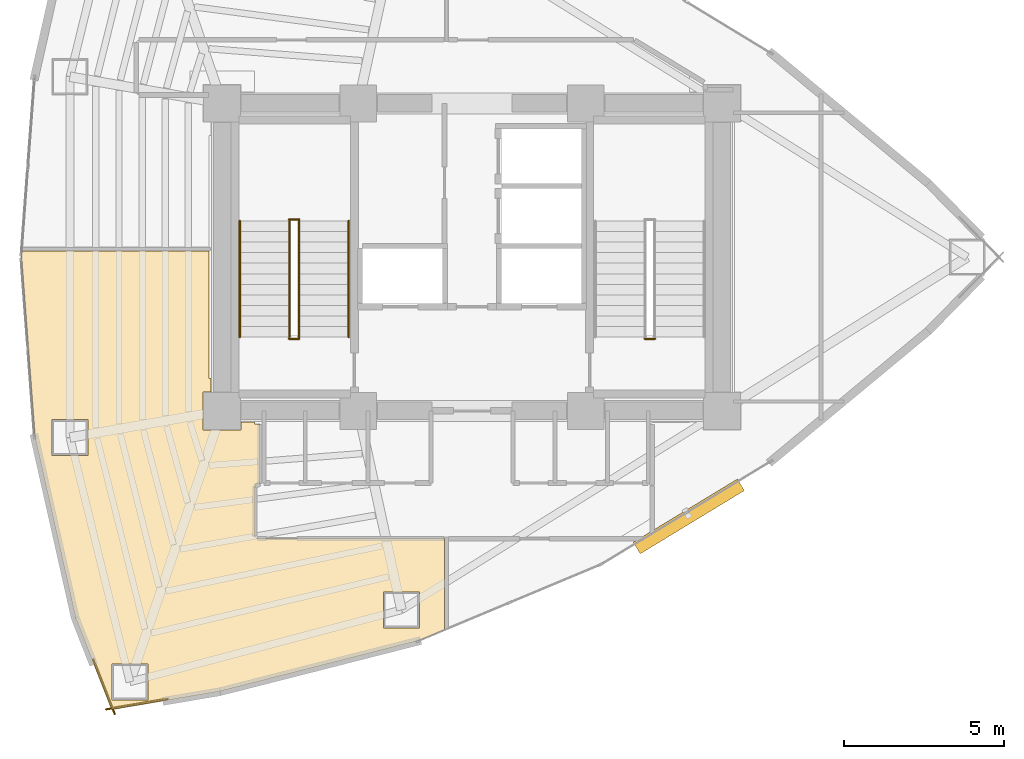
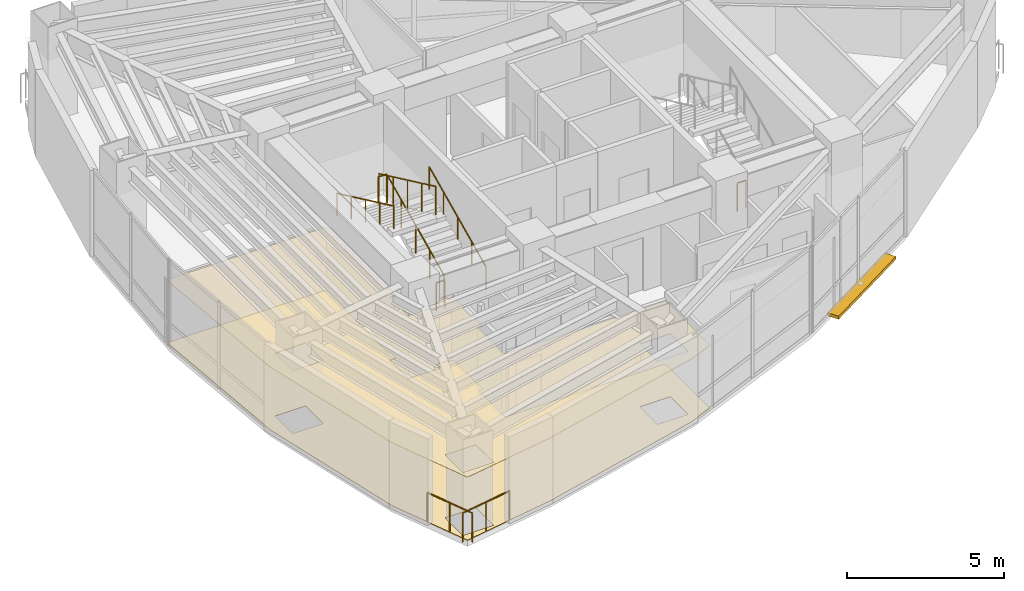
# One storey, part 13 of 15: 9 railings, 2 coverings, 1 shading device.
"""IFC4 building model written with IfcOpenShell, lengths in metres."""

from ifc_helpers import new_model, si_unit, direction, frame, origin, origin_2d, place, context, subcontext, project, spatial, polyline, rectangle, circle, outline, extrude, material, layer, layer_set, type_object, element, save


model = new_model("IFC4")

# Units and contexts
model_context = context("Model", 3, precision=1e-05, world=origin(), true_north=direction((0.0, 1.0)))
body_context = subcontext(model_context, "Body", "Model", "MODEL_VIEW")
ifc_project = project(units=[si_unit("LENGTHUNIT", "METRE"), si_unit("AREAUNIT", "SQUARE_METRE"), si_unit("VOLUMEUNIT", "CUBIC_METRE"), si_unit("PLANEANGLEUNIT", "RADIAN"), si_unit("MASSUNIT", "GRAM", prefix="KILO")], contexts=[model_context])

# Site, building, storey
site_placement = place(None, origin())
site = spatial("IfcSite", under=ifc_project, at=site_placement, CompositionType="ELEMENT")
building_placement = place(site_placement, origin())
building = spatial("IfcBuilding", under=site, at=building_placement, Name="Menara Vayukalpa", CompositionType="ELEMENT")
storey_placement = place(building_placement, frame((0.0, 0.0, 144.89990234375)))
storey = spatial("IfcBuildingStorey", under=building, at=storey_placement, Name="L36", CompositionType="ELEMENT", Elevation=144.89990234375)

# Coverings
ifc_material_1 = material(Name="Mineral Fibre Acoustic Ceiling Tile", Category="masonry")
ifc_layer_1 = layer(ifc_material_1, 0.02490234375)
ifc_layer_set_1 = layer_set([ifc_layer_1], Name="Mineral Fibre Acoustic Ceiling Tile")
covering_type_1 = type_object("IfcCoveringType", Name="COV-CLG1", PredefinedType="CEILING", material=ifc_layer_set_1)
covering_1_placement = place(storey_placement, frame((0.0, 0.0, 2.4501953125)))
element("IfcCovering", 1, at=covering_1_placement, inside=storey, type_object=covering_type_1, Name="L36 Departmental Archive Room Acoustic Ceiling", PredefinedType="CEILING", context=body_context, shape_type="SweptSolid", body=[
    extrude(outline(polyline([(17.730712890625, 8.44580078125), (14.35986328125, 7.873291015625), (14.35888671875, 7.873291015625), (14.35791015625, 7.873291015625), (14.35693359375, 7.873291015625), (14.35595703125, 7.87353515625), (14.35498046875, 7.873779296875), (14.354248046875, 7.874267578125), (14.353271484375, 7.87451171875), (14.3525390625, 7.875), (14.351806640625, 7.875732421875), (14.35107421875, 7.87646484375), (14.350341796875, 7.877197265625), (14.349853515625, 7.8779296875), (14.349365234375, 7.87890625), (14.348876953125, 7.879638671875), (13.22607421875, 10.738525390625), (13.225830078125, 10.7392578125), (13.2255859375, 10.739990234375), (11.958984375, 16.368896484375), (11.958984375, 16.37060546875), (11.536865234375, 21.999267578125), (11.536865234375, 22.0), (11.536865234375, 22.000732421875), (11.55078125, 22.18896484375), (11.551025390625, 22.18994140625), (11.55126953125, 22.19091796875), (11.551513671875, 22.19189453125), (11.552001953125, 22.19287109375), (11.552490234375, 22.193603515625), (11.552978515625, 22.194580078125), (11.5537109375, 22.1953125), (11.554443359375, 22.196044921875), (11.555419921875, 22.196533203125), (11.55615234375, 22.197021484375), (11.556884765625, 22.197509765625), (11.55810546875, 22.197998046875), (11.558837890625, 22.197998046875), (11.559814453125, 22.1982421875), (11.560791015625, 22.1982421875), (17.3798828125, 22.1982421875), (17.381103515625, 22.1982421875), (17.382080078125, 22.197998046875), (17.3828125, 22.197998046875), (17.3837890625, 22.197509765625), (17.384765625, 22.197021484375), (17.385498046875, 22.196533203125), (17.38623046875, 22.196044921875), (17.38720703125, 22.1953125), (17.3876953125, 22.194580078125), (17.38818359375, 22.19384765625), (17.388916015625, 22.193115234375), (17.38916015625, 22.192138671875), (17.3896484375, 22.191162109375), (17.389892578125, 22.190185546875), (17.389892578125, 22.189208984375), (17.389892578125, 22.188232421875), (17.389892578125, 18.2099609375), (17.449951171875, 18.2099609375), (17.449951171875, 17.7900390625), (17.2099609375, 17.7900390625), (17.2099609375, 16.610107421875), (18.389892578125, 16.610107421875), (18.389892578125, 16.85009765625), (18.81005859375, 16.85009765625), (18.81005859375, 16.7900390625), (18.97998046875, 16.7900390625), (18.98095703125, 16.7900390625), (18.98193359375, 16.789794921875), (18.98291015625, 16.78955078125), (18.98388671875, 16.789306640625), (18.984619140625, 16.788818359375), (18.985595703125, 16.788330078125), (18.986328125, 16.78759765625), (18.987060546875, 16.787109375), (18.98779296875, 16.786376953125), (18.98828125, 16.78564453125), (18.98876953125, 16.78466796875), (18.9892578125, 16.78369140625), (18.989501953125, 16.782958984375), (18.98974609375, 16.781982421875), (18.989990234375, 16.781005859375), (18.989990234375, 16.780029296875), (18.989990234375, 14.929931640625), (18.989990234375, 14.928955078125), (18.98974609375, 14.927978515625), (18.989501953125, 14.927001953125), (18.9892578125, 14.92626953125), (18.98876953125, 14.92529296875), (18.98828125, 14.92431640625), (18.98779296875, 14.923583984375), (18.987060546875, 14.9228515625), (18.986328125, 14.92236328125), (18.985595703125, 14.921630859375), (18.984619140625, 14.921142578125), (18.98388671875, 14.9208984375), (18.98291015625, 14.92041015625), (18.98193359375, 14.920166015625), (18.98095703125, 14.919921875), (18.97998046875, 14.919921875), (18.900390625, 14.919921875), (18.893310546875, 14.919677734375), (18.88623046875, 14.918701171875), (18.879638671875, 14.9169921875), (18.873291015625, 14.914794921875), (18.866943359375, 14.911865234375), (18.861083984375, 14.908203125), (18.85546875, 14.904052734375), (18.8505859375, 14.8994140625), (18.845947265625, 14.89453125), (18.841796875, 14.888916015625), (18.838134765625, 14.883056640625), (18.835205078125, 14.876708984375), (18.8330078125, 14.870361328125), (18.831298828125, 14.86376953125), (18.830322265625, 14.856689453125), (18.830078125, 14.849609375), (18.830078125, 13.290283203125), (18.830322265625, 13.283203125), (18.831298828125, 13.2763671875), (18.8330078125, 13.269775390625), (18.835205078125, 13.26318359375), (18.838134765625, 13.257080078125), (18.841796875, 13.251220703125), (18.845947265625, 13.24560546875), (18.8505859375, 13.240478515625), (18.85546875, 13.236083984375), (18.861083984375, 13.231689453125), (18.866943359375, 13.228271484375), (18.873291015625, 13.225341796875), (18.879638671875, 13.222900390625), (18.88623046875, 13.22119140625), (18.893310546875, 13.220458984375), (18.900390625, 13.219970703125), (24.72998046875, 13.219970703125), (24.73095703125, 13.219970703125), (24.73193359375, 13.2197265625), (24.73291015625, 13.219482421875), (24.73388671875, 13.21923828125), (24.734619140625, 13.21875), (24.735595703125, 13.21826171875), (24.736328125, 13.2177734375), (24.737060546875, 13.217041015625), (24.73779296875, 13.21630859375), (24.73828125, 13.215576171875), (24.73876953125, 13.214599609375), (24.7392578125, 13.2138671875), (24.739501953125, 13.212890625), (24.73974609375, 13.2119140625), (24.739990234375, 13.2109375), (24.739990234375, 13.2099609375), (24.739990234375, 10.37841796875), (24.739990234375, 10.377197265625), (24.73974609375, 10.37646484375), (24.739501953125, 10.37548828125), (24.7392578125, 10.37451171875), (24.73876953125, 10.37353515625), (24.73828125, 10.372802734375), (24.73779296875, 10.3720703125), (24.737060546875, 10.37109375), (24.736328125, 10.37060546875), (24.735595703125, 10.3701171875), (24.734619140625, 10.369384765625), (24.73388671875, 10.369140625), (23.8935546875, 10.017578125), (23.89208984375, 10.01708984375), (17.7314453125, 8.44580078125), (17.730712890625, 8.44580078125)]), holes=[polyline([(14.35546875, 9.304443359375), (14.35546875, 8.174560546875), (15.485595703125, 8.174560546875), (15.485595703125, 9.304443359375), (14.35546875, 9.304443359375)]), polyline([(13.614013671875, 16.93310546875), (12.484130859375, 16.93310546875), (12.484130859375, 15.80322265625), (13.614013671875, 15.80322265625), (13.614013671875, 16.93310546875)]), polyline([(23.9619140625, 11.552978515625), (22.831787109375, 11.552978515625), (22.831787109375, 10.423095703125), (23.9619140625, 10.423095703125), (23.9619140625, 11.552978515625)])]), origin(), (0.0, 0.0, 1.0), 0.02490234375),
])
ifc_material_2 = material(Name="Porcelain Stoneware Floor Tile", Category="masonry")
ifc_layer_2 = layer(ifc_material_2, 0.02001953125)
ifc_layer_set_2 = layer_set([ifc_layer_2], Name="Porcelain Stoneware Floor Tile")
covering_type_2 = type_object("IfcCoveringType", Name="COV-FLR1", PredefinedType="FLOORING", material=ifc_layer_set_2)
covering_2_placement = place(storey_placement, origin())
element("IfcCovering", 2, at=covering_2_placement, inside=storey, type_object=covering_type_2, Name="L36 Departmental Archive Room Porcelain Flooring", PredefinedType="FLOORING", context=body_context, shape_type="SweptSolid", body=[
    extrude(outline(polyline([(17.730712890625, 8.44580078125), (14.35986328125, 7.873291015625), (14.35888671875, 7.873291015625), (14.35791015625, 7.873291015625), (14.35693359375, 7.873291015625), (14.35595703125, 7.87353515625), (14.35498046875, 7.873779296875), (14.354248046875, 7.874267578125), (14.353271484375, 7.87451171875), (14.3525390625, 7.875), (14.351806640625, 7.875732421875), (14.35107421875, 7.87646484375), (14.350341796875, 7.877197265625), (14.349853515625, 7.8779296875), (14.349365234375, 7.87890625), (14.348876953125, 7.879638671875), (13.22607421875, 10.738525390625), (13.225830078125, 10.7392578125), (13.2255859375, 10.739990234375), (11.958984375, 16.368896484375), (11.958984375, 16.37060546875), (11.536865234375, 21.999267578125), (11.536865234375, 22.0), (11.536865234375, 22.000732421875), (11.55078125, 22.18896484375), (11.551025390625, 22.18994140625), (11.55126953125, 22.19091796875), (11.551513671875, 22.19189453125), (11.552001953125, 22.19287109375), (11.552490234375, 22.193603515625), (11.552978515625, 22.194580078125), (11.5537109375, 22.1953125), (11.554443359375, 22.196044921875), (11.555419921875, 22.196533203125), (11.55615234375, 22.197021484375), (11.556884765625, 22.197509765625), (11.55810546875, 22.197998046875), (11.558837890625, 22.197998046875), (11.559814453125, 22.1982421875), (11.560791015625, 22.1982421875), (17.3798828125, 22.1982421875), (17.381103515625, 22.1982421875), (17.382080078125, 22.197998046875), (17.3828125, 22.197998046875), (17.3837890625, 22.197509765625), (17.384765625, 22.197021484375), (17.385498046875, 22.196533203125), (17.38623046875, 22.196044921875), (17.38720703125, 22.1953125), (17.3876953125, 22.194580078125), (17.38818359375, 22.19384765625), (17.388916015625, 22.193115234375), (17.38916015625, 22.192138671875), (17.3896484375, 22.191162109375), (17.389892578125, 22.190185546875), (17.389892578125, 22.189208984375), (17.389892578125, 22.188232421875), (17.389892578125, 18.2099609375), (17.449951171875, 18.2099609375), (17.449951171875, 17.7900390625), (17.2099609375, 17.7900390625), (17.2099609375, 16.610107421875), (18.389892578125, 16.610107421875), (18.389892578125, 16.85009765625), (18.81005859375, 16.85009765625), (18.81005859375, 16.7900390625), (18.97998046875, 16.7900390625), (18.98095703125, 16.7900390625), (18.98193359375, 16.789794921875), (18.98291015625, 16.78955078125), (18.98388671875, 16.789306640625), (18.984619140625, 16.788818359375), (18.985595703125, 16.788330078125), (18.986328125, 16.78759765625), (18.987060546875, 16.787109375), (18.98779296875, 16.786376953125), (18.98828125, 16.78564453125), (18.98876953125, 16.78466796875), (18.9892578125, 16.78369140625), (18.989501953125, 16.782958984375), (18.98974609375, 16.781982421875), (18.989990234375, 16.781005859375), (18.989990234375, 16.780029296875), (18.989990234375, 14.929931640625), (18.989990234375, 14.928955078125), (18.98974609375, 14.927978515625), (18.989501953125, 14.927001953125), (18.9892578125, 14.92626953125), (18.98876953125, 14.92529296875), (18.98828125, 14.92431640625), (18.98779296875, 14.923583984375), (18.987060546875, 14.9228515625), (18.986328125, 14.92236328125), (18.985595703125, 14.921630859375), (18.984619140625, 14.921142578125), (18.98388671875, 14.9208984375), (18.98291015625, 14.92041015625), (18.98193359375, 14.920166015625), (18.98095703125, 14.919921875), (18.97998046875, 14.919921875), (18.900390625, 14.919921875), (18.893310546875, 14.919677734375), (18.88623046875, 14.918701171875), (18.879638671875, 14.9169921875), (18.873291015625, 14.914794921875), (18.866943359375, 14.911865234375), (18.861083984375, 14.908203125), (18.85546875, 14.904052734375), (18.8505859375, 14.8994140625), (18.845947265625, 14.89453125), (18.841796875, 14.888916015625), (18.838134765625, 14.883056640625), (18.835205078125, 14.876708984375), (18.8330078125, 14.870361328125), (18.831298828125, 14.86376953125), (18.830322265625, 14.856689453125), (18.830078125, 14.849609375), (18.830078125, 13.290283203125), (18.830322265625, 13.283203125), (18.831298828125, 13.2763671875), (18.8330078125, 13.269775390625), (18.835205078125, 13.26318359375), (18.838134765625, 13.257080078125), (18.841796875, 13.251220703125), (18.845947265625, 13.24560546875), (18.8505859375, 13.240478515625), (18.85546875, 13.236083984375), (18.861083984375, 13.231689453125), (18.866943359375, 13.228271484375), (18.873291015625, 13.225341796875), (18.879638671875, 13.222900390625), (18.88623046875, 13.22119140625), (18.893310546875, 13.220458984375), (18.900390625, 13.219970703125), (24.72998046875, 13.219970703125), (24.73095703125, 13.219970703125), (24.73193359375, 13.2197265625), (24.73291015625, 13.219482421875), (24.73388671875, 13.21923828125), (24.734619140625, 13.21875), (24.735595703125, 13.21826171875), (24.736328125, 13.2177734375), (24.737060546875, 13.217041015625), (24.73779296875, 13.21630859375), (24.73828125, 13.215576171875), (24.73876953125, 13.214599609375), (24.7392578125, 13.2138671875), (24.739501953125, 13.212890625), (24.73974609375, 13.2119140625), (24.739990234375, 13.2109375), (24.739990234375, 13.2099609375), (24.739990234375, 10.37841796875), (24.739990234375, 10.377197265625), (24.73974609375, 10.37646484375), (24.739501953125, 10.37548828125), (24.7392578125, 10.37451171875), (24.73876953125, 10.37353515625), (24.73828125, 10.372802734375), (24.73779296875, 10.3720703125), (24.737060546875, 10.37109375), (24.736328125, 10.37060546875), (24.735595703125, 10.3701171875), (24.734619140625, 10.369384765625), (24.73388671875, 10.369140625), (23.8935546875, 10.017578125), (23.89208984375, 10.01708984375), (17.7314453125, 8.44580078125), (17.730712890625, 8.44580078125)]), holes=[polyline([(14.35546875, 9.304443359375), (14.35546875, 8.174560546875), (15.485595703125, 8.174560546875), (15.485595703125, 9.304443359375), (14.35546875, 9.304443359375)]), polyline([(13.614013671875, 16.93310546875), (12.484130859375, 16.93310546875), (12.484130859375, 15.80322265625), (13.614013671875, 15.80322265625), (13.614013671875, 16.93310546875)]), polyline([(23.9619140625, 11.552978515625), (22.831787109375, 11.552978515625), (22.831787109375, 10.423095703125), (23.9619140625, 10.423095703125), (23.9619140625, 11.552978515625)])]), origin(), (0.0, 0.0, 1.0), 0.02001953125),
])

# Railings
ifc_material_3 = material(Name="Laminated Glass and Stainless Steel 316 Guardrail", Category="steel")
railing_type_1 = type_object("IfcRailingType", Name="RLG-EXT115", PredefinedType="GUARDRAIL", material=ifc_material_3)
railing_1_placement = place(storey_placement, frame((13.77880859375, 9.440673828125, 0.0)))
element("IfcRailing", 3, at=railing_1_placement, inside=storey, type_object=railing_type_1, Name="L36 Column Corner Spandrel Guardrail 13-1", PredefinedType="GUARDRAIL", context=body_context, shape_type="SweptSolid", body=[
    extrude(circle(Radius=0.02392578125, at=origin_2d()), frame((0.0, 0.0, 1.1259765625), z_axis=(0.365496165744, -0.93081284522, 0.0), x_axis=(0.93081284522, 0.365496165744, 0.0)), (0.0, 0.0, 1.0), 1.837646484375),
    extrude(circle(Radius=0.02099609375, at=origin_2d()), origin(), (0.0, 0.0, 1.0), 1.101806640625),
    extrude(circle(Radius=0.02099609375, at=origin_2d()), frame((0.3359375, -0.855224609375, 0.0)), (0.0, 0.0, 1.0), 1.101806640625),
    extrude(circle(Radius=0.02099609375, at=origin_2d()), frame((0.671630859375, -1.71044921875, 0.0)), (0.0, 0.0, 1.0), 1.101806640625),
])
railing_2_placement = place(storey_placement, frame((14.179443359375, 7.88330078125, 0.0)))
element("IfcRailing", 4, at=railing_2_placement, inside=storey, type_object=railing_type_1, Name="L36 Column Corner Spandrel Guardrail 14-1", PredefinedType="GUARDRAIL", context=body_context, shape_type="SweptSolid", body=[
    extrude(circle(Radius=0.02392578125, at=origin_2d()), frame((0.0, 0.0, 1.1259765625), z_axis=(0.985886955751, 0.167412396435, 0.0), x_axis=(-0.167412396435, 0.985886955751, 0.0)), (0.0, 0.0, 1.0), 1.94384765625),
    extrude(circle(Radius=0.02099609375, at=origin_2d()), origin(), (0.0, 0.0, 1.0), 1.101806640625),
    extrude(circle(Radius=0.02099609375, at=origin_2d()), frame((0.958251953125, 0.16259765625, 0.0)), (0.0, 0.0, 1.0), 1.101806640625),
    extrude(circle(Radius=0.02099609375, at=origin_2d()), frame((1.91650390625, 0.325439453125, 0.0)), (0.0, 0.0, 1.0), 1.101806640625),
])
ifc_material_4 = material(Name="Powder-Coated Galvanised Steel Guardrail", Category="steel")
railing_type_2 = type_object("IfcRailingType", Name="RLG-STG110", PredefinedType="GUARDRAIL", material=ifc_material_4)
railing_3_placement = place(storey_placement, frame((20.199951171875, 19.5, 0.155029296875)))
element("IfcRailing", 5, at=railing_3_placement, inside=storey, type_object=railing_type_2, Name="L36 ST-1 stair guard 1", PredefinedType="GUARDRAIL", context=body_context, shape_type="SweptSolid", body=[
    extrude(circle(Radius=0.02392578125, at=origin_2d()), frame((0.0, 0.0, 1.09619140625), z_axis=(0.0, 0.90511648382, 0.425163675209), x_axis=(-1.0, 0.0, 0.0)), (0.0, 0.0, 1.0), 4.010498046875),
    extrude(circle(Radius=0.02099609375, at=origin_2d()), origin(), (0.0, 0.0, 1.0), 1.072021484375),
    extrude(circle(Radius=0.02099609375, at=origin_2d()), frame((0.0, 0.907470703125, 0.42626953125)), (0.0, 0.0, 1.0), 1.072021484375),
    extrude(circle(Radius=0.02099609375, at=origin_2d()), frame((0.0, 1.81494140625, 0.8525390625)), (0.0, 0.0, 1.0), 1.072021484375),
    extrude(circle(Radius=0.02099609375, at=origin_2d()), frame((0.0, 2.722412109375, 1.27880859375)), (0.0, 0.0, 1.0), 1.072021484375),
    extrude(circle(Radius=0.02099609375, at=origin_2d()), frame((0.0, 3.6298828125, 1.705078125)), (0.0, 0.0, 1.0), 1.072021484375),
])
railing_4_placement = place(storey_placement, frame((20.2099609375, 23.179931640625, 1.860107421875)))
element("IfcRailing", 6, at=railing_4_placement, inside=storey, type_object=railing_type_2, Name="L36 ST-1 stair guard 2", PredefinedType="GUARDRAIL", context=body_context, shape_type="SweptSolid", body=[
    extrude(circle(Radius=0.02392578125, at=origin_2d()), frame((0.0, 0.0, 1.09619140625), z_axis=(-1.0, 0.0, 0.0), x_axis=(0.0, -1.0, 0.0)), (0.0, 0.0, 1.0), 0.320068359375),
    extrude(circle(Radius=0.02099609375, at=origin_2d()), origin(), (0.0, 0.0, 1.0), 1.072021484375),
    extrude(circle(Radius=0.02099609375, at=origin_2d()), frame((-0.320068359375, 0.0, 0.0)), (0.0, 0.0, 1.0), 1.072021484375),
])
railing_5_placement = place(storey_placement, frame((19.89990234375, 23.1298828125, 2.01513671875)))
element("IfcRailing", 7, at=railing_5_placement, inside=storey, type_object=railing_type_2, Name="L36 ST-1 stair guard 3", PredefinedType="GUARDRAIL", context=body_context, shape_type="SweptSolid", body=[
    extrude(circle(Radius=0.02392578125, at=origin_2d()), frame((0.0, 0.0, 1.09619140625), z_axis=(0.0, -0.90511648382, 0.425163675209), x_axis=(1.0, 0.0, 0.0)), (0.0, 0.0, 1.0), 4.010498046875),
    extrude(circle(Radius=0.02099609375, at=origin_2d()), origin(), (0.0, 0.0, 1.0), 1.072021484375),
    extrude(circle(Radius=0.02099609375, at=origin_2d()), frame((0.0, -0.907470703125, 0.42626953125)), (0.0, 0.0, 1.0), 1.072021484375),
    extrude(circle(Radius=0.02099609375, at=origin_2d()), frame((0.0, -1.81494140625, 0.8525390625)), (0.0, 0.0, 1.0), 1.072021484375),
    extrude(circle(Radius=0.02099609375, at=origin_2d()), frame((0.0, -2.722412109375, 1.27880859375)), (0.0, 0.0, 1.0), 1.072021484375),
    extrude(circle(Radius=0.02099609375, at=origin_2d()), frame((0.0, -3.6298828125, 1.705078125)), (0.0, 0.0, 1.0), 1.072021484375),
])
for number, where, name in (
    (8, (20.2099609375, 19.449951171875, 0.0), "L36 ST-1 stair guard 4"),
    (9, (31.31005859375, 19.449951171875, 0.0), "L36 ST-2 stair guard 4"),
):
    element("IfcRailing", number, at=place(storey_placement, frame(where)), inside=storey, type_object=railing_type_2, Name=name, PredefinedType="GUARDRAIL", context=body_context, shape_type="SweptSolid", body=[
        extrude(circle(Radius=0.02392578125, at=origin_2d()), frame((0.0, 0.0, 1.09619140625), z_axis=(-1.0, 0.0, 0.0), x_axis=(0.0, -1.0, 0.0)), (0.0, 0.0, 1.0), 0.320068359375),
        extrude(circle(Radius=0.02099609375, at=origin_2d()), origin(), (0.0, 0.0, 1.0), 1.072021484375),
        extrude(circle(Radius=0.02099609375, at=origin_2d()), frame((-0.320068359375, 0.0, 0.0)), (0.0, 0.0, 1.0), 1.072021484375),
    ])
ifc_material_5 = material(Name="Stainless Steel 316 Tubular Handrail", Category="steel")
railing_type_3 = type_object("IfcRailingType", Name="RLG-STH090", PredefinedType="HANDRAIL", material=ifc_material_5)
railing_6_placement = place(storey_placement, frame((21.75, 19.5, 0.155029296875)))
element("IfcRailing", 10, at=railing_6_placement, inside=storey, type_object=railing_type_3, Name="L36 ST-1 stair handrail 1", PredefinedType="HANDRAIL", context=body_context, shape_type="SweptSolid", body=[
    extrude(circle(Radius=0.02392578125, at=origin_2d()), frame((0.0, 0.0, 0.8759765625), z_axis=(0.0, 0.90511648382, 0.425163675209), x_axis=(-1.0, 0.0, 0.0)), (0.0, 0.0, 1.0), 4.010498046875),
    extrude(circle(Radius=0.02099609375, at=origin_2d()), origin(), (0.0, 0.0, 1.0), 0.851806640625),
    extrude(circle(Radius=0.02099609375, at=origin_2d()), frame((0.0, 0.907470703125, 0.42626953125)), (0.0, 0.0, 1.0), 0.851806640625),
    extrude(circle(Radius=0.02099609375, at=origin_2d()), frame((0.0, 1.81494140625, 0.8525390625)), (0.0, 0.0, 1.0), 0.851806640625),
    extrude(circle(Radius=0.02099609375, at=origin_2d()), frame((0.0, 2.722412109375, 1.27880859375)), (0.0, 0.0, 1.0), 0.851806640625),
    extrude(circle(Radius=0.02099609375, at=origin_2d()), frame((0.0, 3.6298828125, 1.705078125)), (0.0, 0.0, 1.0), 0.851806640625),
])
railing_7_placement = place(storey_placement, frame((18.35009765625, 23.1298828125, 2.01513671875)))
element("IfcRailing", 11, at=railing_7_placement, inside=storey, type_object=railing_type_3, Name="L36 ST-1 stair handrail 2", PredefinedType="HANDRAIL", context=body_context, shape_type="SweptSolid", body=[
    extrude(circle(Radius=0.02392578125, at=origin_2d()), frame((0.0, 0.0, 0.8759765625), z_axis=(0.0, -0.90511648382, 0.425163675209), x_axis=(1.0, 0.0, 0.0)), (0.0, 0.0, 1.0), 4.010498046875),
    extrude(circle(Radius=0.02099609375, at=origin_2d()), origin(), (0.0, 0.0, 1.0), 0.851806640625),
    extrude(circle(Radius=0.02099609375, at=origin_2d()), frame((0.0, -0.907470703125, 0.42626953125)), (0.0, 0.0, 1.0), 0.851806640625),
    extrude(circle(Radius=0.02099609375, at=origin_2d()), frame((0.0, -1.81494140625, 0.8525390625)), (0.0, 0.0, 1.0), 0.851806640625),
    extrude(circle(Radius=0.02099609375, at=origin_2d()), frame((0.0, -2.722412109375, 1.27880859375)), (0.0, 0.0, 1.0), 0.851806640625),
    extrude(circle(Radius=0.02099609375, at=origin_2d()), frame((0.0, -3.6298828125, 1.705078125)), (0.0, 0.0, 1.0), 0.851806640625),
])

# Shading device
ifc_material_6 = material(Name="Glazed Terracotta Ceramic Baguette Extrusion", Category="masonry")
ifc_layer_3 = layer(ifc_material_6, 0.1201171875)
ifc_layer_set_3 = layer_set([ifc_layer_3], Name="Glazed Terracotta Ceramic Baguette Extrusion")
shading_device_type = type_object("IfcShadingDeviceType", Name="SHD-SS1", PredefinedType="USERDEFINED", material=ifc_layer_set_3)
shading_device_placement = place(storey_placement, frame((32.368408203125, 13.90478515625, -0.099853515625), z_axis=(0.0, 0.0, 1.0), x_axis=(0.854658248158, 0.519190984952, 0.0)))
element("IfcShadingDevice", 12, at=shading_device_placement, inside=storey, type_object=shading_device_type, Name="L36 Horizontal Terracotta Sunshade Band 17", ObjectType="SUNSHADE", PredefinedType="USERDEFINED", context=body_context, shape_type="SweptSolid", body=[
    extrude(rectangle(XDim=3.800048828125, YDim=0.419921875, at=origin_2d()), origin(), (0.0, 0.0, 1.0), 0.1201171875),
])

save(model, "model.ifc")
